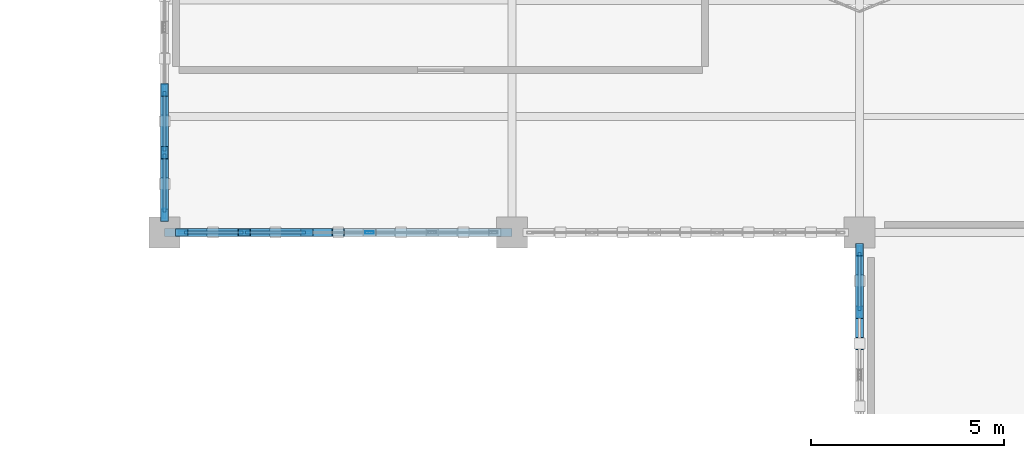
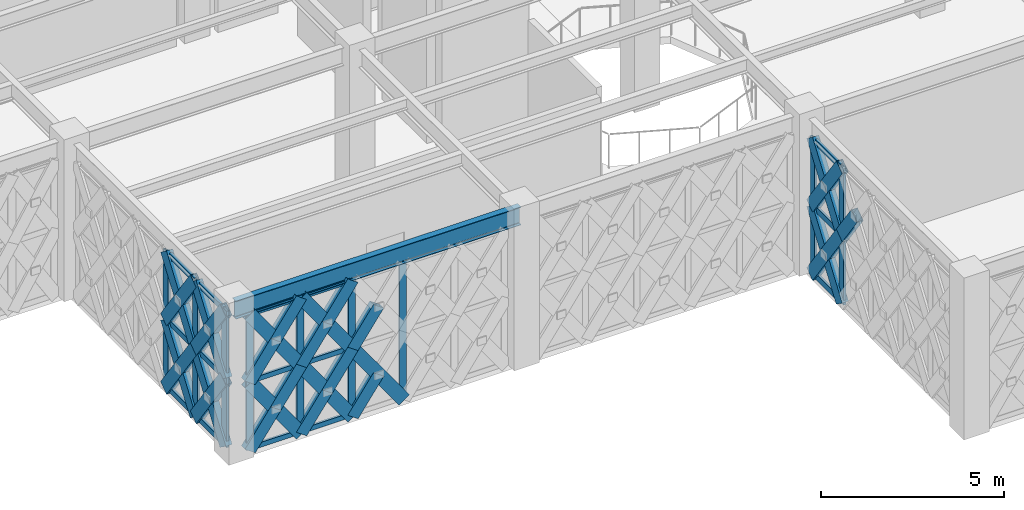
# One storey, part 3 of 86: 58 members, 1 beam, 3 elements without a shape of their own.
"""IFC4 building model written with IfcOpenShell, lengths in metres."""

from ifc_helpers import new_model, si_unit, direction, frame, origin, origin_2d, place, context, subcontext, project, spatial, hollow_rectangle, i_section, extrude, material, material_profile, profile_set, type_object, element, aggregate, save


model = new_model("IFC4")

# Units and contexts
model_context = context("Model", 3, precision=1e-05, world=origin(), true_north=direction((0.0, 1.0)))
body_context = subcontext(model_context, "Body", "Model", "MODEL_VIEW")
ifc_project = project(units=[si_unit("LENGTHUNIT", "METRE"), si_unit("AREAUNIT", "SQUARE_METRE"), si_unit("VOLUMEUNIT", "CUBIC_METRE"), si_unit("PLANEANGLEUNIT", "RADIAN"), si_unit("MASSUNIT", "GRAM", prefix="KILO")], contexts=[model_context])

# Site, building, storey
site_placement = place(None, origin())
site = spatial("IfcSite", under=ifc_project, at=site_placement, CompositionType="ELEMENT")
building_placement = place(site_placement, origin())
building = spatial("IfcBuilding", under=site, at=building_placement, Name="Haizhuo Lancet Aquarium", CompositionType="ELEMENT")
storey_placement = place(building_placement, frame((0.0, 0.0, 16.199951171875)))
storey = spatial("IfcBuildingStorey", under=building, at=storey_placement, Name="L03", CompositionType="ELEMENT", Elevation=16.199951171875)

# Beam
ifc_material_1 = material(Name="Steel S355", Category="steel")
ifc_material_profile_1 = material_profile(ifc_material_1, i_section(OverallWidth=0.199951171875, OverallDepth=0.60009765625, WebThickness=0.010986328125, FlangeThickness=0.01708984375, FilletRadius=0.02197265625, at=origin_2d()), Name="HN 600x200x11x17")
ifc_profile_set_1 = profile_set([ifc_material_profile_1], Name="Steel S355")
beam_type = type_object("IfcBeamType", Name="BM-ST-HN600", PredefinedType="BEAM", material=ifc_profile_set_1)
beam_placement = place(storey_placement, frame((-72.0, -27.0, 4.85009765625), z_axis=(1.0, 0.0, 0.0), x_axis=(0.0, 1.0, 0.0)))
element("IfcBeam", 1, at=beam_placement, inside=storey, type_object=beam_type, Name="L03 V6 primary girder BM-L03-V6-005", PredefinedType="BEAM", context=body_context, shape_type="SweptSolid", body=[
    extrude(i_section(OverallWidth=0.199951171875, OverallDepth=0.60009765625, WebThickness=0.010986328125, FlangeThickness=0.01708984375, FilletRadius=0.02197265625, at=origin_2d()), origin(), (0.0, 0.0, 1.0), 9.0),
])

# Curtain wall, members
ifc_material_2 = material(Name="Aluminium 6063-T6", Category="aluminium")
curtain_wall_type = type_object("IfcCurtainWallType", Name="CWD-8110x4550", PredefinedType="NOTDEFINED", material=ifc_material_2)
curtain_wall_1_placement = place(storey_placement, origin())
curtain_wall_1 = element("IfcCurtainWall", 2, at=curtain_wall_1_placement, inside=storey, type_object=curtain_wall_type, Name="L03 curtain wall CW-V6-L03-242", PredefinedType="NOTDEFINED")
ifc_material_profile_2 = material_profile(ifc_material_2, hollow_rectangle(XDim=0.074951171875, YDim=0.219970703125, WallThickness=0.0048828125, at=origin_2d()), Name="ALU-M 75x220x5")
ifc_profile_set_2 = profile_set([ifc_material_profile_2], Name="Aluminium 6063-T6")
member_type_1 = type_object("IfcMemberType", Name="CW-MUL-2", PredefinedType="MULLION", material=ifc_profile_set_2)
member_1_placement = place(storey_placement, frame((-66.68896484375, -27.0, 0.0), z_axis=(0.0, 0.0, 1.0), x_axis=(0.0, -1.0, 0.0)))
member_1 = element("IfcMember", 3, at=member_1_placement, type_object=member_type_1, Name="CWD-81x45 mullion 3", PredefinedType="MULLION", context=body_context, shape_type="SweptSolid", body=[
    extrude(hollow_rectangle(XDim=0.074951171875, YDim=0.219970703125, WallThickness=0.0048828125, at=origin_2d()), origin(), (0.0, 0.0, 1.0), 4.550048828125),
])
member_2_placement = place(storey_placement, frame((-68.31103515625, -27.0, 0.0), z_axis=(0.0, 0.0, 1.0), x_axis=(0.0, -1.0, 0.0)))
member_2 = element("IfcMember", 4, at=member_2_placement, type_object=member_type_1, Name="CWD-81x45 mullion 4", PredefinedType="MULLION", context=body_context, shape_type="SweptSolid", body=[
    extrude(hollow_rectangle(XDim=0.074951171875, YDim=0.219970703125, WallThickness=0.0048828125, at=origin_2d()), origin(), (0.0, 0.0, 1.0), 4.550048828125),
])
member_3_placement = place(storey_placement, frame((-69.93310546875, -27.0, 0.0), z_axis=(0.0, 0.0, 1.0), x_axis=(0.0, -1.0, 0.0)))
member_3 = element("IfcMember", 5, at=member_3_placement, type_object=member_type_1, Name="CWD-81x45 mullion 5", PredefinedType="MULLION", context=body_context, shape_type="SweptSolid", body=[
    extrude(hollow_rectangle(XDim=0.074951171875, YDim=0.219970703125, WallThickness=0.0048828125, at=origin_2d()), origin(), (0.0, 0.0, 1.0), 4.550048828125),
])
member_4_placement = place(storey_placement, frame((-71.51806640625, -27.0, 0.0), z_axis=(0.0, 0.0, 1.0), x_axis=(0.0, -1.0, 0.0)))
member_4 = element("IfcMember", 6, at=member_4_placement, type_object=member_type_1, Name="CWD-81x45 mullion 6", PredefinedType="MULLION", context=body_context, shape_type="SweptSolid", body=[
    extrude(hollow_rectangle(XDim=0.074951171875, YDim=0.219970703125, WallThickness=0.0048828125, at=origin_2d()), origin(), (0.0, 0.0, 1.0), 4.550048828125),
])

curtain_wall_2_placement = place(storey_placement, origin())
curtain_wall_2 = element("IfcCurtainWall", 7, at=curtain_wall_2_placement, inside=storey, type_object=curtain_wall_type, Name="L03 curtain wall CW-V6-L03-240", PredefinedType="NOTDEFINED")
ifc_material_profile_3 = material_profile(ifc_material_2, hollow_rectangle(XDim=0.080078125, YDim=0.260009765625, WallThickness=0.0048828125, at=origin_2d()), Name="ALU-M 80x260x5")
ifc_profile_set_3 = profile_set([ifc_material_profile_3], Name="Aluminium 6063-T6")
member_type_2 = type_object("IfcMemberType", Name="CW-MUL-3", PredefinedType="MULLION", material=ifc_profile_set_3)
member_5_placement = place(storey_placement, frame((-54.0, -29.06689453125, 0.0), z_axis=(0.0, 0.0, 1.0), x_axis=(-1.0, 0.0, 0.0)))
member_5 = element("IfcMember", 8, at=member_5_placement, type_object=member_type_2, Name="CWD-81x45 mullion 5", PredefinedType="MULLION", context=body_context, shape_type="SweptSolid", body=[
    extrude(hollow_rectangle(XDim=0.080078125, YDim=0.260009765625, WallThickness=0.0048828125, at=origin_2d()), origin(), (0.0, 0.0, 1.0), 4.550048828125),
])
member_6_placement = place(storey_placement, frame((-54.0, -27.485107421875, 0.0), z_axis=(0.0, 0.0, 1.0), x_axis=(-1.0, 0.0, 0.0)))
member_6 = element("IfcMember", 9, at=member_6_placement, type_object=member_type_2, Name="CWD-81x45 mullion 6", PredefinedType="MULLION", context=body_context, shape_type="SweptSolid", body=[
    extrude(hollow_rectangle(XDim=0.080078125, YDim=0.260009765625, WallThickness=0.0048828125, at=origin_2d()), origin(), (0.0, 0.0, 1.0), 4.550048828125),
])

curtain_wall_3_placement = place(storey_placement, origin())
curtain_wall_3 = element("IfcCurtainWall", 10, at=curtain_wall_3_placement, inside=storey, type_object=curtain_wall_type, Name="L03 curtain wall CW-V6-L03-243", PredefinedType="NOTDEFINED")
member_7_placement = place(storey_placement, frame((-72.0, -26.514892578125, 0.0), z_axis=(0.0, 0.0, 1.0), x_axis=(-1.0, 0.0, 0.0)))
member_7 = element("IfcMember", 11, at=member_7_placement, type_object=member_type_2, Name="CWD-81x45 mullion 1", PredefinedType="MULLION", context=body_context, shape_type="SweptSolid", body=[
    extrude(hollow_rectangle(XDim=0.080078125, YDim=0.260009765625, WallThickness=0.0048828125, at=origin_2d()), origin(), (0.0, 0.0, 1.0), 4.550048828125),
])
member_8_placement = place(storey_placement, frame((-72.0, -24.93310546875, 0.0), z_axis=(0.0, 0.0, 1.0), x_axis=(-1.0, 0.0, 0.0)))
member_8 = element("IfcMember", 12, at=member_8_placement, type_object=member_type_2, Name="CWD-81x45 mullion 2", PredefinedType="MULLION", context=body_context, shape_type="SweptSolid", body=[
    extrude(hollow_rectangle(XDim=0.080078125, YDim=0.260009765625, WallThickness=0.0048828125, at=origin_2d()), origin(), (0.0, 0.0, 1.0), 4.550048828125),
])
member_9_placement = place(storey_placement, frame((-72.0, -23.31103515625, 0.0), z_axis=(0.0, 0.0, 1.0), x_axis=(-1.0, 0.0, 0.0)))
member_9 = element("IfcMember", 13, at=member_9_placement, type_object=member_type_2, Name="CWD-81x45 mullion 3", PredefinedType="MULLION", context=body_context, shape_type="SweptSolid", body=[
    extrude(hollow_rectangle(XDim=0.080078125, YDim=0.260009765625, WallThickness=0.0048828125, at=origin_2d()), origin(), (0.0, 0.0, 1.0), 4.550048828125),
])

# Member
ifc_material_profile_4 = material_profile(ifc_material_2, hollow_rectangle(XDim=0.074951171875, YDim=0.159912109375, WallThickness=0.00390625, at=origin_2d()), Name="ALU-T 75x160x4")
ifc_profile_set_4 = profile_set([ifc_material_profile_4], Name="Aluminium 6063-T6")
member_type_3 = type_object("IfcMemberType", Name="CW-TRN-2", PredefinedType="NOTDEFINED", material=ifc_profile_set_4)
member_10_placement = place(storey_placement, frame((-68.34912109375, -27.0, 0.0380859375), z_axis=(-1.0, 0.0, 0.0), x_axis=(0.0, -1.0, 0.0)))
member_10 = element("IfcMember", 14, at=member_10_placement, type_object=member_type_3, Name="CWD-81x45 transom 4.1", ObjectType="TRANSOM", PredefinedType="USERDEFINED", context=body_context, shape_type="SweptSolid", body=[
    extrude(hollow_rectangle(XDim=0.074951171875, YDim=0.159912109375, WallThickness=0.00390625, at=origin_2d()), origin(), (0.0, 0.0, 1.0), 1.5458984375),
])

member_11_placement = place(storey_placement, frame((-68.34912109375, -27.0, 2.275146484375), z_axis=(-1.0, 0.0, 0.0), x_axis=(0.0, -1.0, 0.0)))
member_11 = element("IfcMember", 15, at=member_11_placement, type_object=member_type_3, Name="CWD-81x45 transom 4.2", ObjectType="TRANSOM", PredefinedType="USERDEFINED", context=body_context, shape_type="SweptSolid", body=[
    extrude(hollow_rectangle(XDim=0.074951171875, YDim=0.159912109375, WallThickness=0.00390625, at=origin_2d()), origin(), (0.0, 0.0, 1.0), 1.5458984375),
])

member_12_placement = place(storey_placement, frame((-68.34912109375, -27.0, 4.511962890625), z_axis=(-1.0, 0.0, 0.0), x_axis=(0.0, -1.0, 0.0)))
member_12 = element("IfcMember", 16, at=member_12_placement, type_object=member_type_3, Name="CWD-81x45 transom 4.3", ObjectType="TRANSOM", PredefinedType="USERDEFINED", context=body_context, shape_type="SweptSolid", body=[
    extrude(hollow_rectangle(XDim=0.074951171875, YDim=0.159912109375, WallThickness=0.00390625, at=origin_2d()), origin(), (0.0, 0.0, 1.0), 1.5458984375),
])

member_13_placement = place(storey_placement, frame((-69.970947265625, -27.0, 0.0380859375), z_axis=(-1.0, 0.0, 0.0), x_axis=(0.0, -1.0, 0.0)))
member_13 = element("IfcMember", 17, at=member_13_placement, type_object=member_type_3, Name="CWD-81x45 transom 5.1", ObjectType="TRANSOM", PredefinedType="USERDEFINED", context=body_context, shape_type="SweptSolid", body=[
    extrude(hollow_rectangle(XDim=0.074951171875, YDim=0.159912109375, WallThickness=0.00390625, at=origin_2d()), origin(), (0.0, 0.0, 1.0), 1.509033203125),
])

member_14_placement = place(storey_placement, frame((-69.970947265625, -27.0, 2.275146484375), z_axis=(-1.0, 0.0, 0.0), x_axis=(0.0, -1.0, 0.0)))
member_14 = element("IfcMember", 18, at=member_14_placement, type_object=member_type_3, Name="CWD-81x45 transom 5.2", ObjectType="TRANSOM", PredefinedType="USERDEFINED", context=body_context, shape_type="SweptSolid", body=[
    extrude(hollow_rectangle(XDim=0.074951171875, YDim=0.159912109375, WallThickness=0.00390625, at=origin_2d()), origin(), (0.0, 0.0, 1.0), 1.509033203125),
])

member_15_placement = place(storey_placement, frame((-69.970947265625, -27.0, 4.511962890625), z_axis=(-1.0, 0.0, 0.0), x_axis=(0.0, -1.0, 0.0)))
member_15 = element("IfcMember", 19, at=member_15_placement, type_object=member_type_3, Name="CWD-81x45 transom 5.3", ObjectType="TRANSOM", PredefinedType="USERDEFINED", context=body_context, shape_type="SweptSolid", body=[
    extrude(hollow_rectangle(XDim=0.074951171875, YDim=0.159912109375, WallThickness=0.00390625, at=origin_2d()), origin(), (0.0, 0.0, 1.0), 1.509033203125),
])

aggregate(curtain_wall_1, [member_1, member_2, member_3, member_4, member_10, member_11, member_12, member_13, member_14, member_15])

ifc_material_profile_5 = material_profile(ifc_material_2, hollow_rectangle(XDim=0.080078125, YDim=0.18994140625, WallThickness=0.0048828125, at=origin_2d()), Name="ALU-T 80x190x5")
ifc_profile_set_5 = profile_set([ifc_material_profile_5], Name="Aluminium 6063-T6")
member_type_4 = type_object("IfcMemberType", Name="CW-TRN-3", PredefinedType="NOTDEFINED", material=ifc_profile_set_5)
member_16_placement = place(storey_placement, frame((-54.0, -29.027099609375, 0.0400390625), z_axis=(0.0, 1.0, 0.0), x_axis=(-1.0, 0.0, 0.0)))
member_16 = element("IfcMember", 20, at=member_16_placement, type_object=member_type_4, Name="CWD-81x45 transom 5.1", ObjectType="TRANSOM", PredefinedType="USERDEFINED", context=body_context, shape_type="SweptSolid", body=[
    extrude(hollow_rectangle(XDim=0.080078125, YDim=0.18994140625, WallThickness=0.0048828125, at=origin_2d()), origin(), (0.0, 0.0, 1.0), 1.502197265625),
])

member_17_placement = place(storey_placement, frame((-54.0, -29.027099609375, 2.275146484375), z_axis=(0.0, 1.0, 0.0), x_axis=(-1.0, 0.0, 0.0)))
member_17 = element("IfcMember", 21, at=member_17_placement, type_object=member_type_4, Name="CWD-81x45 transom 5.2", ObjectType="TRANSOM", PredefinedType="USERDEFINED", context=body_context, shape_type="SweptSolid", body=[
    extrude(hollow_rectangle(XDim=0.080078125, YDim=0.18994140625, WallThickness=0.0048828125, at=origin_2d()), origin(), (0.0, 0.0, 1.0), 1.502197265625),
])

member_18_placement = place(storey_placement, frame((-54.0, -29.027099609375, 4.510009765625), z_axis=(0.0, 1.0, 0.0), x_axis=(-1.0, 0.0, 0.0)))
member_18 = element("IfcMember", 22, at=member_18_placement, type_object=member_type_4, Name="CWD-81x45 transom 5.3", ObjectType="TRANSOM", PredefinedType="USERDEFINED", context=body_context, shape_type="SweptSolid", body=[
    extrude(hollow_rectangle(XDim=0.080078125, YDim=0.18994140625, WallThickness=0.0048828125, at=origin_2d()), origin(), (0.0, 0.0, 1.0), 1.502197265625),
])

aggregate(curtain_wall_2, [member_5, member_6, member_16, member_17, member_18])

member_19_placement = place(storey_placement, frame((-72.0, -26.47509765625, 0.0400390625), z_axis=(0.0, 1.0, 0.0), x_axis=(-1.0, 0.0, 0.0)))
member_19 = element("IfcMember", 23, at=member_19_placement, type_object=member_type_4, Name="CWD-81x45 transom 1.1", ObjectType="TRANSOM", PredefinedType="USERDEFINED", context=body_context, shape_type="SweptSolid", body=[
    extrude(hollow_rectangle(XDim=0.080078125, YDim=0.18994140625, WallThickness=0.0048828125, at=origin_2d()), origin(), (0.0, 0.0, 1.0), 1.502197265625),
])

member_20_placement = place(storey_placement, frame((-72.0, -26.47509765625, 2.275146484375), z_axis=(0.0, 1.0, 0.0), x_axis=(-1.0, 0.0, 0.0)))
member_20 = element("IfcMember", 24, at=member_20_placement, type_object=member_type_4, Name="CWD-81x45 transom 1.2", ObjectType="TRANSOM", PredefinedType="USERDEFINED", context=body_context, shape_type="SweptSolid", body=[
    extrude(hollow_rectangle(XDim=0.080078125, YDim=0.18994140625, WallThickness=0.0048828125, at=origin_2d()), origin(), (0.0, 0.0, 1.0), 1.502197265625),
])

member_21_placement = place(storey_placement, frame((-72.0, -26.47509765625, 4.510009765625), z_axis=(0.0, 1.0, 0.0), x_axis=(-1.0, 0.0, 0.0)))
member_21 = element("IfcMember", 25, at=member_21_placement, type_object=member_type_4, Name="CWD-81x45 transom 1.3", ObjectType="TRANSOM", PredefinedType="USERDEFINED", context=body_context, shape_type="SweptSolid", body=[
    extrude(hollow_rectangle(XDim=0.080078125, YDim=0.18994140625, WallThickness=0.0048828125, at=origin_2d()), origin(), (0.0, 0.0, 1.0), 1.502197265625),
])

member_22_placement = place(storey_placement, frame((-72.0, -24.89306640625, 0.0400390625), z_axis=(0.0, 1.0, 0.0), x_axis=(-1.0, 0.0, 0.0)))
member_22 = element("IfcMember", 26, at=member_22_placement, type_object=member_type_4, Name="CWD-81x45 transom 2.1", ObjectType="TRANSOM", PredefinedType="USERDEFINED", context=body_context, shape_type="SweptSolid", body=[
    extrude(hollow_rectangle(XDim=0.080078125, YDim=0.18994140625, WallThickness=0.0048828125, at=origin_2d()), origin(), (0.0, 0.0, 1.0), 1.5419921875),
])

member_23_placement = place(storey_placement, frame((-72.0, -24.89306640625, 2.275146484375), z_axis=(0.0, 1.0, 0.0), x_axis=(-1.0, 0.0, 0.0)))
member_23 = element("IfcMember", 27, at=member_23_placement, type_object=member_type_4, Name="CWD-81x45 transom 2.2", ObjectType="TRANSOM", PredefinedType="USERDEFINED", context=body_context, shape_type="SweptSolid", body=[
    extrude(hollow_rectangle(XDim=0.080078125, YDim=0.18994140625, WallThickness=0.0048828125, at=origin_2d()), origin(), (0.0, 0.0, 1.0), 1.5419921875),
])

member_24_placement = place(storey_placement, frame((-72.0, -24.89306640625, 4.510009765625), z_axis=(0.0, 1.0, 0.0), x_axis=(-1.0, 0.0, 0.0)))
member_24 = element("IfcMember", 28, at=member_24_placement, type_object=member_type_4, Name="CWD-81x45 transom 2.3", ObjectType="TRANSOM", PredefinedType="USERDEFINED", context=body_context, shape_type="SweptSolid", body=[
    extrude(hollow_rectangle(XDim=0.080078125, YDim=0.18994140625, WallThickness=0.0048828125, at=origin_2d()), origin(), (0.0, 0.0, 1.0), 1.5419921875),
])

aggregate(curtain_wall_3, [member_7, member_8, member_9, member_19, member_20, member_21, member_22, member_23, member_24])

# Members
ifc_material_profile_6 = material_profile(ifc_material_1, hollow_rectangle(XDim=0.199951171875, YDim=0.39990234375, WallThickness=0.011962890625, at=origin_2d()), Name="RHS 200x400x12")
ifc_profile_set_6 = profile_set([ifc_material_profile_6], Name="Steel S355")
member_type_5 = type_object("IfcMemberType", Name="MEM-LB-RHS200x400", PredefinedType="BRACE", material=ifc_profile_set_6)
member_25_placement = place(storey_placement, frame((-54.0, -29.06689453125, 2.275146484375), z_axis=(0.0, -0.580395012026, 0.814335084603), x_axis=(1.0, 0.0, 0.0)))
element("IfcMember", 29, at=member_25_placement, inside=storey, type_object=member_type_5, Name="Gothic lancet split diagonal brace CW-V6-L03-240 8B1", PredefinedType="BRACE", context=body_context, shape_type="SweptSolid", body=[
    extrude(hollow_rectangle(XDim=0.199951171875, YDim=0.39990234375, WallThickness=0.011962890625, at=origin_2d()), origin(), (0.0, 0.0, 1.0), 1.3974609375),
])
member_26_placement = place(storey_placement, frame((-54.0, -29.06689453125, 0.0), z_axis=(0.0, 0.580460961116, 0.81428807717), x_axis=(-1.0, 0.0, 0.0)))
element("IfcMember", 30, at=member_26_placement, inside=storey, type_object=member_type_5, Name="Gothic lancet continuous diagonal brace CW-V6-L03-240 9A", PredefinedType="BRACE", context=body_context, shape_type="SweptSolid", body=[
    extrude(hollow_rectangle(XDim=0.199951171875, YDim=0.39990234375, WallThickness=0.011962890625, at=origin_2d()), origin(), (0.0, 0.0, 1.0), 2.7939453125),
])
member_27_placement = place(storey_placement, frame((-54.0, -27.445068359375, 0.0), z_axis=(0.0, -0.580725454015, 0.814099470003), x_axis=(1.0, 0.0, 0.0)))
element("IfcMember", 31, at=member_27_placement, inside=storey, type_object=member_type_5, Name="Gothic lancet split diagonal brace CW-V6-L03-240 9B1", PredefinedType="BRACE", context=body_context, shape_type="SweptSolid", body=[
    extrude(hollow_rectangle(XDim=0.199951171875, YDim=0.39990234375, WallThickness=0.011962890625, at=origin_2d()), origin(), (0.0, 0.0, 1.0), 1.396484375),
])
member_28_placement = place(storey_placement, frame((-54.0, -28.256103515625, 1.136962890625), z_axis=(0.0, -0.580196568329, 0.814476483454), x_axis=(1.0, 0.0, 0.0)))
element("IfcMember", 32, at=member_28_placement, inside=storey, type_object=member_type_5, Name="Gothic lancet split diagonal brace CW-V6-L03-240 9B2", PredefinedType="BRACE", context=body_context, shape_type="SweptSolid", body=[
    extrude(hollow_rectangle(XDim=0.199951171875, YDim=0.39990234375, WallThickness=0.011962890625, at=origin_2d()), origin(), (0.0, 0.0, 1.0), 1.3974609375),
])
member_29_placement = place(storey_placement, frame((-54.0, -29.06689453125, 2.275146484375), z_axis=(0.0, 0.58050226424, 0.814258632875), x_axis=(-1.0, 0.0, 0.0)))
element("IfcMember", 33, at=member_29_placement, inside=storey, type_object=member_type_5, Name="Gothic lancet continuous diagonal brace CW-V6-L03-240 10A", PredefinedType="BRACE", context=body_context, shape_type="SweptSolid", body=[
    extrude(hollow_rectangle(XDim=0.199951171875, YDim=0.39990234375, WallThickness=0.011962890625, at=origin_2d()), origin(), (0.0, 0.0, 1.0), 2.7939453125),
])
member_30_placement = place(storey_placement, frame((-54.0, -27.445068359375, 2.275146484375), z_axis=(0.0, -0.580395012026, 0.814335084603), x_axis=(1.0, 0.0, 0.0)))
element("IfcMember", 34, at=member_30_placement, inside=storey, type_object=member_type_5, Name="Gothic lancet split diagonal brace CW-V6-L03-240 10B1", PredefinedType="BRACE", context=body_context, shape_type="SweptSolid", body=[
    extrude(hollow_rectangle(XDim=0.199951171875, YDim=0.39990234375, WallThickness=0.011962890625, at=origin_2d()), origin(), (0.0, 0.0, 1.0), 1.3974609375),
])
member_31_placement = place(storey_placement, frame((-54.0, -28.256103515625, 3.4130859375), z_axis=(0.0, -0.580609578331, 0.814182115715), x_axis=(1.0, 0.0, 0.0)))
element("IfcMember", 35, at=member_31_placement, inside=storey, type_object=member_type_5, Name="Gothic lancet split diagonal brace CW-V6-L03-240 10B2", PredefinedType="BRACE", context=body_context, shape_type="SweptSolid", body=[
    extrude(hollow_rectangle(XDim=0.199951171875, YDim=0.39990234375, WallThickness=0.011962890625, at=origin_2d()), origin(), (0.0, 0.0, 1.0), 1.396484375),
])
member_32_placement = place(storey_placement, frame((-66.68896484375, -27.0, 0.0), z_axis=(-0.580518894897, 0.0, 0.814246776271), x_axis=(0.0, -1.0, 0.0)))
element("IfcMember", 36, at=member_32_placement, inside=storey, type_object=member_type_5, Name="Gothic lancet continuous diagonal brace CW-V6-L03-242 5A", PredefinedType="BRACE", context=body_context, shape_type="SweptSolid", body=[
    extrude(hollow_rectangle(XDim=0.199951171875, YDim=0.39990234375, WallThickness=0.011962890625, at=origin_2d()), origin(), (0.0, 0.0, 1.0), 2.794189453125),
])
member_33_placement = place(storey_placement, frame((-68.31103515625, -27.0, 0.0), z_axis=(0.580725454015, 0.0, 0.814099470003), x_axis=(0.0, 1.0, 0.0)))
element("IfcMember", 37, at=member_33_placement, inside=storey, type_object=member_type_5, Name="Gothic lancet split diagonal brace CW-V6-L03-242 5B1", PredefinedType="BRACE", context=body_context, shape_type="SweptSolid", body=[
    extrude(hollow_rectangle(XDim=0.199951171875, YDim=0.39990234375, WallThickness=0.011962890625, at=origin_2d()), origin(), (0.0, 0.0, 1.0), 1.396484375),
])
member_34_placement = place(storey_placement, frame((-68.31103515625, -27.0, 2.275146484375), z_axis=(0.580395012026, 0.0, 0.814335084603), x_axis=(0.0, 1.0, 0.0)))
element("IfcMember", 38, at=member_34_placement, inside=storey, type_object=member_type_5, Name="Gothic lancet split diagonal brace CW-V6-L03-242 6B1", PredefinedType="BRACE", context=body_context, shape_type="SweptSolid", body=[
    extrude(hollow_rectangle(XDim=0.199951171875, YDim=0.39990234375, WallThickness=0.011962890625, at=origin_2d()), origin(), (0.0, 0.0, 1.0), 1.3974609375),
])
member_35_placement = place(storey_placement, frame((-68.31103515625, -27.0, 0.0), z_axis=(-0.580518894897, 0.0, 0.814246776271), x_axis=(0.0, -1.0, 0.0)))
element("IfcMember", 39, at=member_35_placement, inside=storey, type_object=member_type_5, Name="Gothic lancet continuous diagonal brace CW-V6-L03-242 7A", PredefinedType="BRACE", context=body_context, shape_type="SweptSolid", body=[
    extrude(hollow_rectangle(XDim=0.199951171875, YDim=0.39990234375, WallThickness=0.011962890625, at=origin_2d()), origin(), (0.0, 0.0, 1.0), 2.794189453125),
])
member_36_placement = place(storey_placement, frame((-69.93310546875, -27.0, 0.0), z_axis=(0.580725454015, 0.0, 0.814099470003), x_axis=(0.0, 1.0, 0.0)))
element("IfcMember", 40, at=member_36_placement, inside=storey, type_object=member_type_5, Name="Gothic lancet split diagonal brace CW-V6-L03-242 7B1", PredefinedType="BRACE", context=body_context, shape_type="SweptSolid", body=[
    extrude(hollow_rectangle(XDim=0.199951171875, YDim=0.39990234375, WallThickness=0.011962890625, at=origin_2d()), origin(), (0.0, 0.0, 1.0), 1.396484375),
])
member_37_placement = place(storey_placement, frame((-69.1220703125, -27.0, 1.136962890625), z_axis=(0.580312445357, 0.0, 0.814393925422), x_axis=(0.0, 1.0, 0.0)))
element("IfcMember", 41, at=member_37_placement, inside=storey, type_object=member_type_5, Name="Gothic lancet split diagonal brace CW-V6-L03-242 7B2", PredefinedType="BRACE", context=body_context, shape_type="SweptSolid", body=[
    extrude(hollow_rectangle(XDim=0.199951171875, YDim=0.39990234375, WallThickness=0.011962890625, at=origin_2d()), origin(), (0.0, 0.0, 1.0), 1.397705078125),
])
member_38_placement = place(storey_placement, frame((-68.31103515625, -27.0, 2.275146484375), z_axis=(-0.580560197953, 0.0, 0.814217327593), x_axis=(0.0, -1.0, 0.0)))
element("IfcMember", 42, at=member_38_placement, inside=storey, type_object=member_type_5, Name="Gothic lancet continuous diagonal brace CW-V6-L03-242 8A", PredefinedType="BRACE", context=body_context, shape_type="SweptSolid", body=[
    extrude(hollow_rectangle(XDim=0.199951171875, YDim=0.39990234375, WallThickness=0.011962890625, at=origin_2d()), origin(), (0.0, 0.0, 1.0), 2.7939453125),
])
member_39_placement = place(storey_placement, frame((-69.93310546875, -27.0, 2.275146484375), z_axis=(0.580395012026, 0.0, 0.814335084603), x_axis=(0.0, 1.0, 0.0)))
element("IfcMember", 43, at=member_39_placement, inside=storey, type_object=member_type_5, Name="Gothic lancet split diagonal brace CW-V6-L03-242 8B1", PredefinedType="BRACE", context=body_context, shape_type="SweptSolid", body=[
    extrude(hollow_rectangle(XDim=0.199951171875, YDim=0.39990234375, WallThickness=0.011962890625, at=origin_2d()), origin(), (0.0, 0.0, 1.0), 1.3974609375),
])
member_40_placement = place(storey_placement, frame((-69.1220703125, -27.0, 3.4130859375), z_axis=(0.580725454015, 0.0, 0.814099470003), x_axis=(0.0, 1.0, 0.0)))
element("IfcMember", 44, at=member_40_placement, inside=storey, type_object=member_type_5, Name="Gothic lancet split diagonal brace CW-V6-L03-242 8B2", PredefinedType="BRACE", context=body_context, shape_type="SweptSolid", body=[
    extrude(hollow_rectangle(XDim=0.199951171875, YDim=0.39990234375, WallThickness=0.011962890625, at=origin_2d()), origin(), (0.0, 0.0, 1.0), 1.396484375),
])
member_41_placement = place(storey_placement, frame((-69.93310546875, -27.0, 0.0), z_axis=(-0.580460961116, 0.0, 0.81428807717), x_axis=(0.0, -1.0, 0.0)))
element("IfcMember", 45, at=member_41_placement, inside=storey, type_object=member_type_5, Name="Gothic lancet continuous diagonal brace CW-V6-L03-242 9A", PredefinedType="BRACE", context=body_context, shape_type="SweptSolid", body=[
    extrude(hollow_rectangle(XDim=0.199951171875, YDim=0.39990234375, WallThickness=0.011962890625, at=origin_2d()), origin(), (0.0, 0.0, 1.0), 2.7939453125),
])
member_42_placement = place(storey_placement, frame((-71.554931640625, -27.0, 0.0), z_axis=(0.580725454015, 0.0, 0.814099470003), x_axis=(0.0, 1.0, 0.0)))
element("IfcMember", 46, at=member_42_placement, inside=storey, type_object=member_type_5, Name="Gothic lancet split diagonal brace CW-V6-L03-242 9B1", PredefinedType="BRACE", context=body_context, shape_type="SweptSolid", body=[
    extrude(hollow_rectangle(XDim=0.199951171875, YDim=0.39990234375, WallThickness=0.011962890625, at=origin_2d()), origin(), (0.0, 0.0, 1.0), 1.396484375),
])
member_43_placement = place(storey_placement, frame((-70.743896484375, -27.0, 1.136962890625), z_axis=(0.580196568329, 0.0, 0.814476483454), x_axis=(0.0, 1.0, 0.0)))
element("IfcMember", 47, at=member_43_placement, inside=storey, type_object=member_type_5, Name="Gothic lancet split diagonal brace CW-V6-L03-242 9B2", PredefinedType="BRACE", context=body_context, shape_type="SweptSolid", body=[
    extrude(hollow_rectangle(XDim=0.199951171875, YDim=0.39990234375, WallThickness=0.011962890625, at=origin_2d()), origin(), (0.0, 0.0, 1.0), 1.3974609375),
])
member_44_placement = place(storey_placement, frame((-69.93310546875, -27.0, 2.275146484375), z_axis=(-0.58050226424, 0.0, 0.814258632875), x_axis=(0.0, -1.0, 0.0)))
element("IfcMember", 48, at=member_44_placement, inside=storey, type_object=member_type_5, Name="Gothic lancet continuous diagonal brace CW-V6-L03-242 10A", PredefinedType="BRACE", context=body_context, shape_type="SweptSolid", body=[
    extrude(hollow_rectangle(XDim=0.199951171875, YDim=0.39990234375, WallThickness=0.011962890625, at=origin_2d()), origin(), (0.0, 0.0, 1.0), 2.7939453125),
])
member_45_placement = place(storey_placement, frame((-71.554931640625, -27.0, 2.275146484375), z_axis=(0.580395012026, 0.0, 0.814335084603), x_axis=(0.0, 1.0, 0.0)))
element("IfcMember", 49, at=member_45_placement, inside=storey, type_object=member_type_5, Name="Gothic lancet split diagonal brace CW-V6-L03-242 10B1", PredefinedType="BRACE", context=body_context, shape_type="SweptSolid", body=[
    extrude(hollow_rectangle(XDim=0.199951171875, YDim=0.39990234375, WallThickness=0.011962890625, at=origin_2d()), origin(), (0.0, 0.0, 1.0), 1.3974609375),
])
member_46_placement = place(storey_placement, frame((-70.743896484375, -27.0, 3.4130859375), z_axis=(0.580609578331, 0.0, 0.814182115715), x_axis=(0.0, 1.0, 0.0)))
element("IfcMember", 50, at=member_46_placement, inside=storey, type_object=member_type_5, Name="Gothic lancet split diagonal brace CW-V6-L03-242 10B2", PredefinedType="BRACE", context=body_context, shape_type="SweptSolid", body=[
    extrude(hollow_rectangle(XDim=0.199951171875, YDim=0.39990234375, WallThickness=0.011962890625, at=origin_2d()), origin(), (0.0, 0.0, 1.0), 1.396484375),
])
member_47_placement = place(storey_placement, frame((-72.0, -26.554931640625, 0.0), z_axis=(0.0, 0.580460961116, 0.81428807717), x_axis=(-1.0, 0.0, 0.0)))
element("IfcMember", 51, at=member_47_placement, inside=storey, type_object=member_type_5, Name="Gothic lancet continuous diagonal brace CW-V6-L03-243 1A", PredefinedType="BRACE", context=body_context, shape_type="SweptSolid", body=[
    extrude(hollow_rectangle(XDim=0.199951171875, YDim=0.39990234375, WallThickness=0.011962890625, at=origin_2d()), origin(), (0.0, 0.0, 1.0), 2.7939453125),
])
member_48_placement = place(storey_placement, frame((-72.0, -24.93310546875, 0.0), z_axis=(0.0, -0.580609578331, 0.814182115715), x_axis=(1.0, 0.0, 0.0)))
element("IfcMember", 52, at=member_48_placement, inside=storey, type_object=member_type_5, Name="Gothic lancet split diagonal brace CW-V6-L03-243 1B1", PredefinedType="BRACE", context=body_context, shape_type="SweptSolid", body=[
    extrude(hollow_rectangle(XDim=0.199951171875, YDim=0.39990234375, WallThickness=0.011962890625, at=origin_2d()), origin(), (0.0, 0.0, 1.0), 1.396484375),
])
member_49_placement = place(storey_placement, frame((-72.0, -25.743896484375, 1.136962890625), z_axis=(0.0, -0.580312445357, 0.814393925422), x_axis=(1.0, 0.0, 0.0)))
element("IfcMember", 53, at=member_49_placement, inside=storey, type_object=member_type_5, Name="Gothic lancet split diagonal brace CW-V6-L03-243 1B2", PredefinedType="BRACE", context=body_context, shape_type="SweptSolid", body=[
    extrude(hollow_rectangle(XDim=0.199951171875, YDim=0.39990234375, WallThickness=0.011962890625, at=origin_2d()), origin(), (0.0, 0.0, 1.0), 1.397705078125),
])
member_50_placement = place(storey_placement, frame((-72.0, -26.554931640625, 2.275146484375), z_axis=(0.0, 0.58050226424, 0.814258632875), x_axis=(-1.0, 0.0, 0.0)))
element("IfcMember", 54, at=member_50_placement, inside=storey, type_object=member_type_5, Name="Gothic lancet continuous diagonal brace CW-V6-L03-243 2A", PredefinedType="BRACE", context=body_context, shape_type="SweptSolid", body=[
    extrude(hollow_rectangle(XDim=0.199951171875, YDim=0.39990234375, WallThickness=0.011962890625, at=origin_2d()), origin(), (0.0, 0.0, 1.0), 2.7939453125),
])
member_51_placement = place(storey_placement, frame((-72.0, -24.93310546875, 2.275146484375), z_axis=(0.0, -0.580279135253, 0.814417660166), x_axis=(1.0, 0.0, 0.0)))
element("IfcMember", 55, at=member_51_placement, inside=storey, type_object=member_type_5, Name="Gothic lancet split diagonal brace CW-V6-L03-243 2B1", PredefinedType="BRACE", context=body_context, shape_type="SweptSolid", body=[
    extrude(hollow_rectangle(XDim=0.199951171875, YDim=0.39990234375, WallThickness=0.011962890625, at=origin_2d()), origin(), (0.0, 0.0, 1.0), 1.397216796875),
])
member_52_placement = place(storey_placement, frame((-72.0, -25.743896484375, 3.4130859375), z_axis=(0.0, -0.580725454015, 0.814099470003), x_axis=(1.0, 0.0, 0.0)))
element("IfcMember", 56, at=member_52_placement, inside=storey, type_object=member_type_5, Name="Gothic lancet split diagonal brace CW-V6-L03-243 2B2", PredefinedType="BRACE", context=body_context, shape_type="SweptSolid", body=[
    extrude(hollow_rectangle(XDim=0.199951171875, YDim=0.39990234375, WallThickness=0.011962890625, at=origin_2d()), origin(), (0.0, 0.0, 1.0), 1.396484375),
])
member_53_placement = place(storey_placement, frame((-72.0, -24.93310546875, 0.0), z_axis=(0.0, 0.580518894897, 0.814246776271), x_axis=(-1.0, 0.0, 0.0)))
element("IfcMember", 57, at=member_53_placement, inside=storey, type_object=member_type_5, Name="Gothic lancet continuous diagonal brace CW-V6-L03-243 3A", PredefinedType="BRACE", context=body_context, shape_type="SweptSolid", body=[
    extrude(hollow_rectangle(XDim=0.199951171875, YDim=0.39990234375, WallThickness=0.011962890625, at=origin_2d()), origin(), (0.0, 0.0, 1.0), 2.794189453125),
])
member_54_placement = place(storey_placement, frame((-72.0, -23.31103515625, 0.0), z_axis=(0.0, -0.580725454015, 0.814099470003), x_axis=(1.0, 0.0, 0.0)))
element("IfcMember", 58, at=member_54_placement, inside=storey, type_object=member_type_5, Name="Gothic lancet split diagonal brace CW-V6-L03-243 3B1", PredefinedType="BRACE", context=body_context, shape_type="SweptSolid", body=[
    extrude(hollow_rectangle(XDim=0.199951171875, YDim=0.39990234375, WallThickness=0.011962890625, at=origin_2d()), origin(), (0.0, 0.0, 1.0), 1.396484375),
])
member_55_placement = place(storey_placement, frame((-72.0, -24.1220703125, 1.136962890625), z_axis=(0.0, -0.580312445357, 0.814393925422), x_axis=(1.0, 0.0, 0.0)))
element("IfcMember", 59, at=member_55_placement, inside=storey, type_object=member_type_5, Name="Gothic lancet split diagonal brace CW-V6-L03-243 3B2", PredefinedType="BRACE", context=body_context, shape_type="SweptSolid", body=[
    extrude(hollow_rectangle(XDim=0.199951171875, YDim=0.39990234375, WallThickness=0.011962890625, at=origin_2d()), origin(), (0.0, 0.0, 1.0), 1.397705078125),
])
member_56_placement = place(storey_placement, frame((-72.0, -24.93310546875, 2.275146484375), z_axis=(0.0, 0.580560197953, 0.814217327593), x_axis=(-1.0, 0.0, 0.0)))
element("IfcMember", 60, at=member_56_placement, inside=storey, type_object=member_type_5, Name="Gothic lancet continuous diagonal brace CW-V6-L03-243 4A", PredefinedType="BRACE", context=body_context, shape_type="SweptSolid", body=[
    extrude(hollow_rectangle(XDim=0.199951171875, YDim=0.39990234375, WallThickness=0.011962890625, at=origin_2d()), origin(), (0.0, 0.0, 1.0), 2.7939453125),
])
member_57_placement = place(storey_placement, frame((-72.0, -23.31103515625, 2.275146484375), z_axis=(0.0, -0.580395012026, 0.814335084603), x_axis=(1.0, 0.0, 0.0)))
element("IfcMember", 61, at=member_57_placement, inside=storey, type_object=member_type_5, Name="Gothic lancet split diagonal brace CW-V6-L03-243 4B1", PredefinedType="BRACE", context=body_context, shape_type="SweptSolid", body=[
    extrude(hollow_rectangle(XDim=0.199951171875, YDim=0.39990234375, WallThickness=0.011962890625, at=origin_2d()), origin(), (0.0, 0.0, 1.0), 1.3974609375),
])
member_58_placement = place(storey_placement, frame((-72.0, -24.1220703125, 3.4130859375), z_axis=(0.0, -0.580725454015, 0.814099470003), x_axis=(1.0, 0.0, 0.0)))
element("IfcMember", 62, at=member_58_placement, inside=storey, type_object=member_type_5, Name="Gothic lancet split diagonal brace CW-V6-L03-243 4B2", PredefinedType="BRACE", context=body_context, shape_type="SweptSolid", body=[
    extrude(hollow_rectangle(XDim=0.199951171875, YDim=0.39990234375, WallThickness=0.011962890625, at=origin_2d()), origin(), (0.0, 0.0, 1.0), 1.396484375),
])

save(model, "model.ifc")
